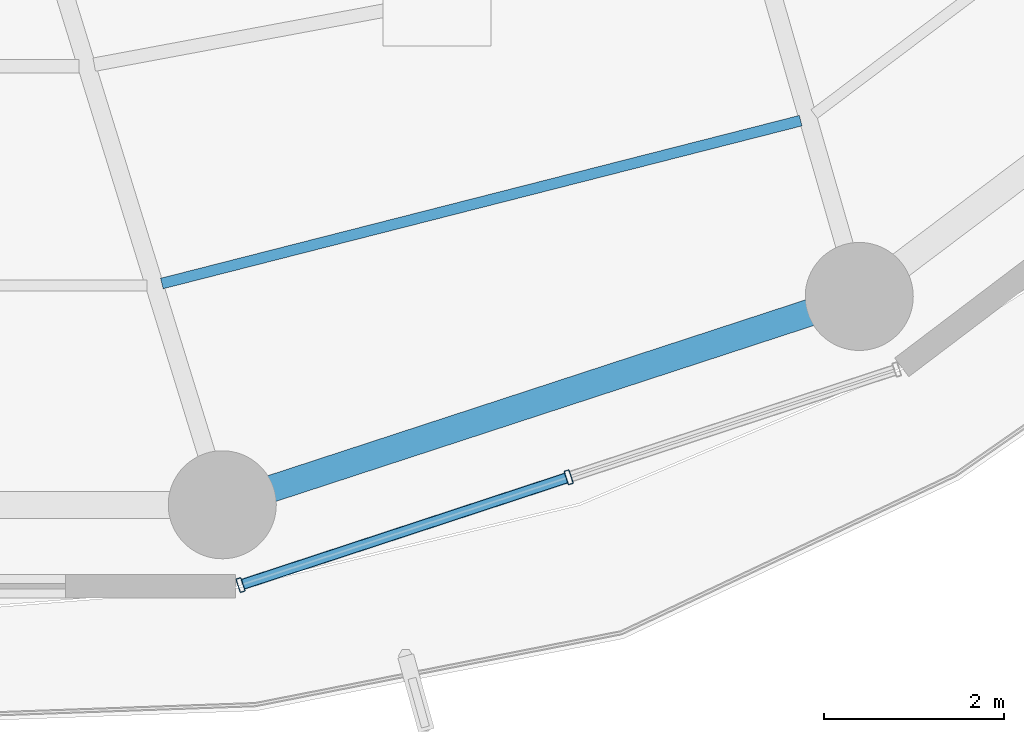
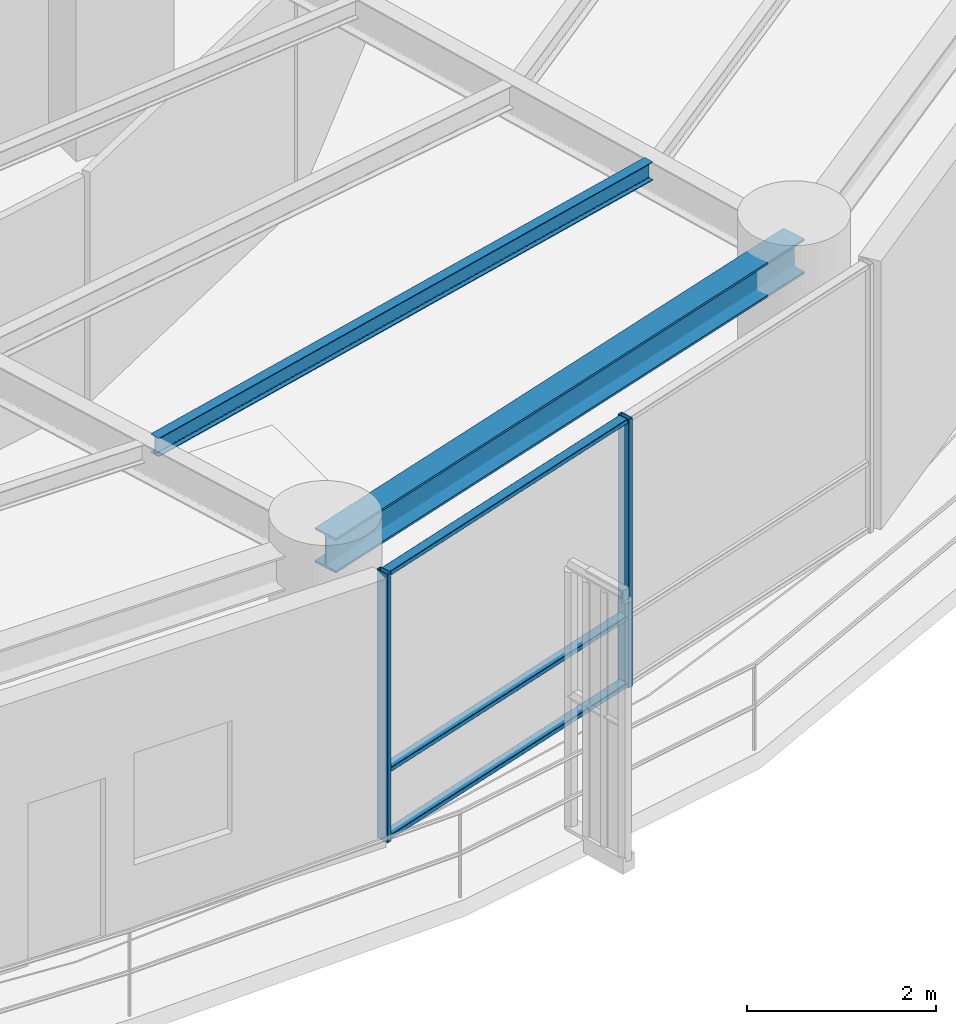
# One storey, part 4 of 29: 5 members, 2 beams, 1 element without a shape of its own.
"""IFC4 building model written with IfcOpenShell, lengths in metres."""

from ifc_helpers import new_model, si_unit, direction, frame, origin, origin_2d, place, context, subcontext, project, spatial, hollow_rectangle, i_section, extrude, material, layer, layer_set, material_profile, profile_set, type_object, element, aggregate, save


model = new_model("IFC4")

# Units and contexts
model_context = context("Model", 3, precision=1e-05, world=origin(), true_north=direction((0.0, 1.0)))
body_context = subcontext(model_context, "Body", "Model", "MODEL_VIEW")
ifc_project = project(units=[si_unit("LENGTHUNIT", "METRE"), si_unit("AREAUNIT", "SQUARE_METRE"), si_unit("VOLUMEUNIT", "CUBIC_METRE"), si_unit("PLANEANGLEUNIT", "RADIAN"), si_unit("MASSUNIT", "GRAM", prefix="KILO")], contexts=[model_context])

# Site, building, storey
site_placement = place(None, origin())
site = spatial("IfcSite", under=ifc_project, at=site_placement, CompositionType="ELEMENT")
building_placement = place(site_placement, origin())
building = spatial("IfcBuilding", under=site, at=building_placement, Name="Kelanora Arch Commons", CompositionType="ELEMENT")
storey_placement = place(building_placement, frame((0.0, 0.0, 135.60009765625)))
storey = spatial("IfcBuildingStorey", under=building, at=storey_placement, Name="L34", CompositionType="ELEMENT", Elevation=135.60009765625)

# Beams
ifc_material_1 = material(Name="Steel S355", Category="steel")
ifc_material_profile_1 = material_profile(ifc_material_1, i_section(OverallWidth=0.1201171875, OverallDepth=0.239990234375, WebThickness=0.006103515625, FlangeThickness=0.009765625, FilletRadius=0.014892578125, at=origin_2d()), Name="IPE240")
ifc_profile_set_1 = profile_set([ifc_material_profile_1], Name="Steel S355")
beam_type_1 = type_object("IfcBeamType", Name="BM-JST-02", PredefinedType="JOIST", material=ifc_profile_set_1)
beam_1_placement = place(storey_placement, frame((77.093994140625, 41.273681640625, 3.369873046875), z_axis=(0.96900232943, 0.247051584815, 0.0), x_axis=(-0.247051584815, 0.96900232943, 0.0)))
element("IfcBeam", 1, at=beam_1_placement, inside=storey, type_object=beam_type_1, Name="Secondary Chord Joist BJC-28 L34", PredefinedType="JOIST", context=body_context, shape_type="SweptSolid", body=[
    extrude(i_section(OverallWidth=0.1201171875, OverallDepth=0.239990234375, WebThickness=0.006103515625, FlangeThickness=0.009765625, FilletRadius=0.014892578125, at=origin_2d()), origin(), (0.0, 0.0, 1.0), 7.32275390625),
])
ifc_material_profile_2 = material_profile(ifc_material_1, i_section(OverallWidth=0.300048828125, OverallDepth=0.449951171875, WebThickness=0.013916015625, FlangeThickness=0.02587890625, FilletRadius=0.027099609375, at=origin_2d()), Name="HEB450")
ifc_profile_set_2 = profile_set([ifc_material_profile_2], Name="Steel S355")
beam_type_2 = type_object("IfcBeamType", Name="BM-SPN-Z3", PredefinedType="SPANDREL", material=ifc_profile_set_2)
beam_2_placement = place(storey_placement, frame((77.7646484375, 38.81591796875, 3.264892578125), z_axis=(0.950461975786, 0.310840847676, 0.0), x_axis=(-0.310840847676, 0.950461975786, 0.0)))
element("IfcBeam", 2, at=beam_2_placement, inside=storey, type_object=beam_type_2, Name="Perimeter Spandrel Beam BS-28 L34", PredefinedType="SPANDREL", context=body_context, shape_type="SweptSolid", body=[
    extrude(i_section(OverallWidth=0.300048828125, OverallDepth=0.449951171875, WebThickness=0.013916015625, FlangeThickness=0.02587890625, FilletRadius=0.027099609375, at=origin_2d()), origin(), (0.0, 0.0, 1.0), 7.444091796875),
])

# Curtain wall, members
ifc_material_2 = material(Name="Terracotta ceramic-fritted low-E glass and aluminium", Category="masonry")
ifc_layer = layer(ifc_material_2, 0.175048828125)
ifc_layer_set = layer_set([ifc_layer], Name="Terracotta ceramic-fritted low-E glass and aluminium")
curtain_wall_type = type_object("IfcCurtainWallType", Name="CW-SYS-02", PredefinedType="NOTDEFINED", material=ifc_layer_set)
curtain_wall_placement = place(storey_placement, origin())
curtain_wall = element("IfcCurtainWall", 3, at=curtain_wall_placement, inside=storey, type_object=curtain_wall_type, Name="Unitised Curtain Wall L34-B14", PredefinedType="NOTDEFINED")
ifc_material_3 = material(Name="Powder-coated aluminium terracotta", Category="masonry")
ifc_material_profile_3 = material_profile(ifc_material_3, hollow_rectangle(XDim=0.159912109375, YDim=0.06005859375, WallThickness=0.0048828125, InnerFilletRadius=0.0048828125, OuterFilletRadius=0.010009765625, at=origin_2d()), Name="CWM160x60")
ifc_profile_set_3 = profile_set([ifc_material_profile_3], Name="Powder-coated aluminium terracotta")
member_type_1 = type_object("IfcMemberType", Name="CWM-STD", PredefinedType="MULLION", material=ifc_profile_set_3)
member_1_placement = place(storey_placement, frame((77.96728515625, 37.924072265625, 0.0), z_axis=(0.0, 0.0, 1.0), x_axis=(-0.312128279571, 0.95003996605, 0.0)))
member_1 = element("IfcMember", 4, at=member_1_placement, type_object=member_type_1, Name="CW-02 mullion 1", PredefinedType="MULLION", context=body_context, shape_type="SweptSolid", body=[
    extrude(hollow_rectangle(XDim=0.159912109375, YDim=0.06005859375, WallThickness=0.0048828125, InnerFilletRadius=0.0048828125, OuterFilletRadius=0.010009765625, at=origin_2d()), origin(), (0.0, 0.0, 1.0), 3.474853515625),
])
member_2_placement = place(storey_placement, frame((81.6123046875, 39.12158203125, 0.0), z_axis=(0.0, 0.0, 1.0), x_axis=(-0.312128279571, 0.95003996605, 0.0)))
member_2 = element("IfcMember", 5, at=member_2_placement, type_object=member_type_1, Name="CW-02 mullion 2", PredefinedType="MULLION", context=body_context, shape_type="SweptSolid", body=[
    extrude(hollow_rectangle(XDim=0.159912109375, YDim=0.06005859375, WallThickness=0.0048828125, InnerFilletRadius=0.0048828125, OuterFilletRadius=0.010009765625, at=origin_2d()), origin(), (0.0, 0.0, 1.0), 3.474853515625),
])
ifc_material_profile_4 = material_profile(ifc_material_3, hollow_rectangle(XDim=0.1201171875, YDim=0.06005859375, WallThickness=0.0048828125, InnerFilletRadius=0.0048828125, OuterFilletRadius=0.010009765625, at=origin_2d()), Name="CWT120x60")
ifc_profile_set_4 = profile_set([ifc_material_profile_4], Name="Powder-coated aluminium terracotta")
member_type_2 = type_object("IfcMemberType", Name="CWT-STD", PredefinedType="USERDEFINED", material=ifc_profile_set_4)
member_3_placement = place(storey_placement, frame((77.99560546875, 37.933349609375, 0.02978515625), z_axis=(0.950051191155, 0.312094111104, 0.0), x_axis=(-0.312094111104, 0.950051191155, 0.0)))
member_3 = element("IfcMember", 6, at=member_3_placement, type_object=member_type_2, Name="CW-02 transom 1.1", ObjectType="TRANSOM", PredefinedType="USERDEFINED", context=body_context, shape_type="SweptSolid", body=[
    extrude(hollow_rectangle(XDim=0.1201171875, YDim=0.06005859375, WallThickness=0.0048828125, InnerFilletRadius=0.0048828125, OuterFilletRadius=0.010009765625, at=origin_2d()), origin(), (0.0, 0.0, 1.0), 3.77685546875),
])
member_4_placement = place(storey_placement, frame((77.99560546875, 37.933349609375, 0.89990234375), z_axis=(0.950051191155, 0.312094111104, 0.0), x_axis=(-0.312094111104, 0.950051191155, 0.0)))
member_4 = element("IfcMember", 7, at=member_4_placement, type_object=member_type_2, Name="CW-02 transom 1.2", ObjectType="TRANSOM", PredefinedType="USERDEFINED", context=body_context, shape_type="SweptSolid", body=[
    extrude(hollow_rectangle(XDim=0.1201171875, YDim=0.06005859375, WallThickness=0.0048828125, InnerFilletRadius=0.0048828125, OuterFilletRadius=0.010009765625, at=origin_2d()), origin(), (0.0, 0.0, 1.0), 3.77685546875),
])
member_5_placement = place(storey_placement, frame((77.99560546875, 37.933349609375, 3.44482421875), z_axis=(0.950051191155, 0.312094111104, 0.0), x_axis=(-0.312094111104, 0.950051191155, 0.0)))
member_5 = element("IfcMember", 8, at=member_5_placement, type_object=member_type_2, Name="CW-02 transom 1.3", ObjectType="TRANSOM", PredefinedType="USERDEFINED", context=body_context, shape_type="SweptSolid", body=[
    extrude(hollow_rectangle(XDim=0.1201171875, YDim=0.06005859375, WallThickness=0.0048828125, InnerFilletRadius=0.0048828125, OuterFilletRadius=0.010009765625, at=origin_2d()), origin(), (0.0, 0.0, 1.0), 3.77685546875),
])
aggregate(curtain_wall, [member_1, member_2, member_3, member_4, member_5])

save(model, "model.ifc")
